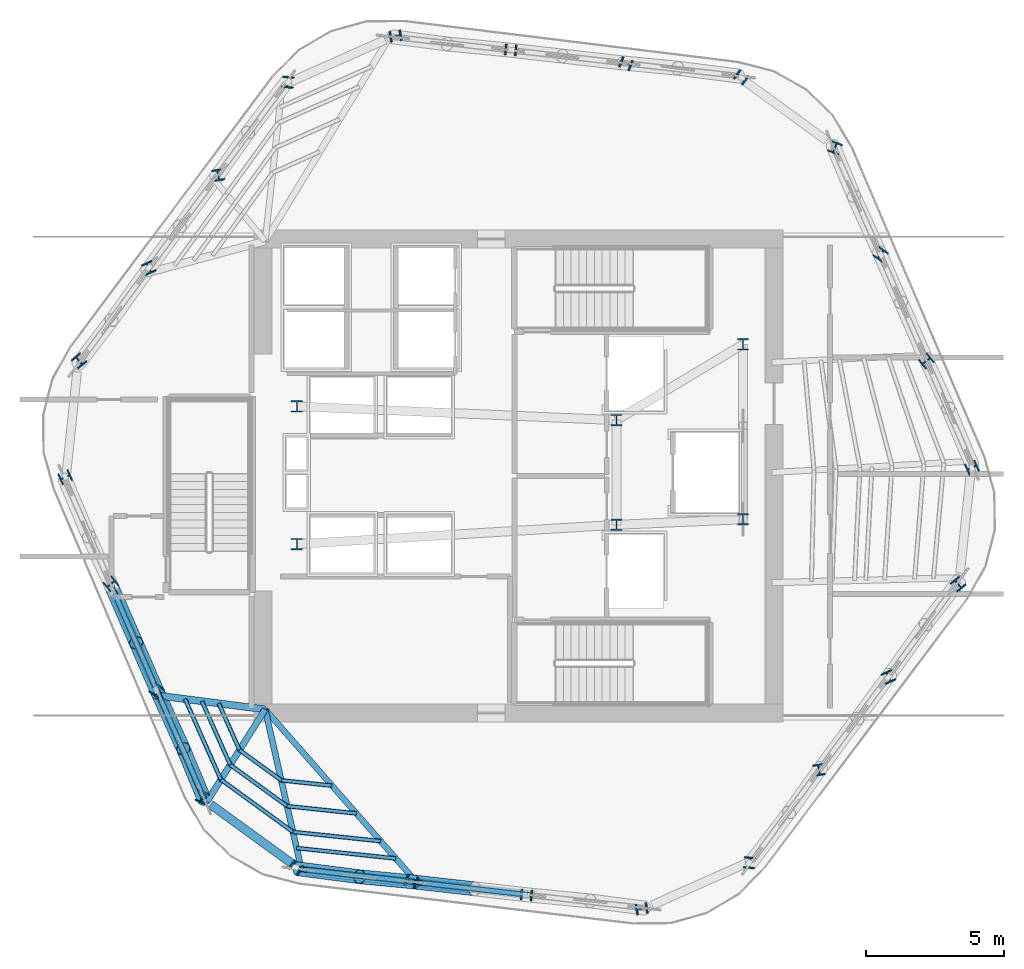
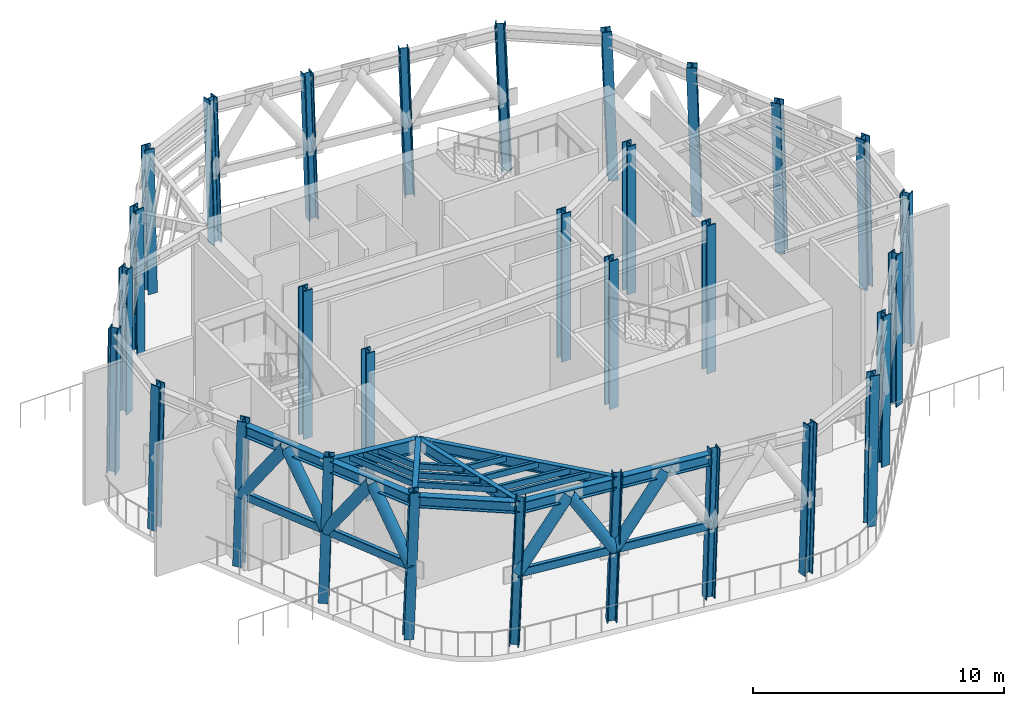
# One storey, part 1 of 10: 30 columns, 21 members, 9 beams.
"""IFC4 building model written with IfcOpenShell, lengths in metres."""

from ifc_helpers import new_model, si_unit, direction, frame, origin, origin_2d, place, context, subcontext, project, spatial, hollow_rectangle, hollow_circle, i_section, extrude, material, material_profile, profile_set, type_object, element, save


model = new_model("IFC4")

# Units and contexts
model_context = context("Model", 3, precision=1e-05, world=origin(), true_north=direction((0.0, 1.0)))
body_context = subcontext(model_context, "Body", "Model", "MODEL_VIEW")
ifc_project = project(units=[si_unit("LENGTHUNIT", "METRE"), si_unit("AREAUNIT", "SQUARE_METRE"), si_unit("VOLUMEUNIT", "CUBIC_METRE"), si_unit("PLANEANGLEUNIT", "RADIAN"), si_unit("MASSUNIT", "GRAM", prefix="KILO")], contexts=[model_context])

# Site, building, storey
site_placement = place(None, origin())
site = spatial("IfcSite", under=ifc_project, at=site_placement, CompositionType="ELEMENT")
building_placement = place(site_placement, origin())
building = spatial("IfcBuilding", under=site, at=building_placement, Name="Valkerne Bourse Tower", CompositionType="ELEMENT")
storey_placement = place(building_placement, frame((0.0, 0.0, 251.199951171875)))
storey = spatial("IfcBuildingStorey", under=building, at=storey_placement, Name="L64", CompositionType="ELEMENT", Elevation=251.199951171875)

# Columns
ifc_material_1 = material(Name="Steel ASTM A913 Grade 65", Category="steel")
ifc_material_profile_1 = material_profile(ifc_material_1, i_section(OverallWidth=0.40380859375, OverallDepth=0.406494140625, WebThickness=0.027099609375, FlangeThickness=0.043701171875, FilletRadius=0.025390625, at=origin_2d()), Name="W14X233")
ifc_profile_set_1 = profile_set([ifc_material_profile_1], Name="Steel ASTM A913 Grade 65")
column_type_1 = type_object("IfcColumnType", Name="COL-W14X233", PredefinedType="COLUMN", material=ifc_profile_set_1)
column_1_placement = place(storey_placement, frame((54.898193359375, 41.32958984375, 0.010009765625), z_axis=(-0.031461219964, 0.017463355358, 0.999352401737), x_axis=(0.58677906534, 0.809735537779, 0.004322885296)))
element("IfcColumn", 1, at=column_1_placement, inside=storey, type_object=column_type_1, Name="L64 Helical Perimeter Tube Column F1-C1", PredefinedType="COLUMN", context=body_context, shape_type="SweptSolid", body=[
    extrude(i_section(OverallWidth=0.40380859375, OverallDepth=0.406494140625, WebThickness=0.027099609375, FlangeThickness=0.043701171875, FilletRadius=0.025390625, at=origin_2d()), origin(), (0.0, 0.0, 1.0), 7.185791015625),
])
for number, where, z_axis, x_axis, name in (
    (2, (50.716796875, 41.835693359375, 0.010009765625), (-0.032517202943, 0.008290697511, 0.999436789321), (0.361617328867, 0.93231789351, 0.004031489009), "L64 Helical Perimeter Tube Column F1-C2"),
    (3, (46.53515625, 42.341796875, 0.010009765625), (-0.03353656244, -0.000849457002, 0.99943713029), (0.094892952646, 0.99547932398, 0.00403026883), "L64 Helical Perimeter Tube Column F1-C3"),
):
    element("IfcColumn", number, at=place(storey_placement, frame(where, z_axis=z_axis, x_axis=x_axis)), inside=storey, type_object=column_type_1, Name=name, PredefinedType="COLUMN", context=body_context, shape_type="SweptSolid", body=[
        extrude(i_section(OverallWidth=0.40380859375, OverallDepth=0.406494140625, WebThickness=0.027099609375, FlangeThickness=0.043701171875, FilletRadius=0.025390625, at=origin_2d()), origin(), (0.0, 0.0, 1.0), 7.185302734375),
    ])
for number, where, z_axis, x_axis, name in (
    (4, (42.353759765625, 42.84765625, 0.010009765625), (-0.034586935001, -0.009988761189, 0.99935177419), (-0.160107627255, 0.987090088216, 0.004324978629), "L64 Helical Perimeter Tube Column F1-C4"),
    (5, (38.439208984375, 41.177978515625, 0.010009765625), (-0.03084966603, -0.018516594699, 0.99935250729), (-0.99421037217, 0.103527129581, -0.028772718172), "L64 Helical Perimeter Tube Column F2-C1"),
):
    element("IfcColumn", number, at=place(storey_placement, frame(where, z_axis=z_axis, x_axis=x_axis)), inside=storey, type_object=column_type_1, Name=name, PredefinedType="COLUMN", context=body_context, shape_type="SweptSolid", body=[
        extrude(i_section(OverallWidth=0.40380859375, OverallDepth=0.406494140625, WebThickness=0.027099609375, FlangeThickness=0.043701171875, FilletRadius=0.025390625, at=origin_2d()), origin(), (0.0, 0.0, 1.0), 7.185791015625),
    ])
for number, where, z_axis, x_axis, name in (
    (6, (35.910400390625, 37.809814453125, 0.010009765625), (-0.023478976315, -0.023988650186, 0.999436482391), (-0.988138573756, -0.151200622085, -0.026842707339), "L64 Helical Perimeter Tube Column F2-C2"),
    (7, (33.38134765625, 34.44140625, 0.010009765625), (-0.01603775117, -0.029459174289, 0.999437315487), (-0.909486379353, -0.414867520729, -0.026822863654), "L64 Helical Perimeter Tube Column F2-C3"),
):
    element("IfcColumn", number, at=place(storey_placement, frame(where, z_axis=z_axis, x_axis=x_axis)), inside=storey, type_object=column_type_1, Name=name, PredefinedType="COLUMN", context=body_context, shape_type="SweptSolid", body=[
        extrude(i_section(OverallWidth=0.40380859375, OverallDepth=0.406494140625, WebThickness=0.027099609375, FlangeThickness=0.043701171875, FilletRadius=0.025390625, at=origin_2d()), origin(), (0.0, 0.0, 1.0), 7.185302734375),
    ])
for number, where, z_axis, x_axis, name in (
    (8, (30.852294921875, 31.0732421875, 0.010009765625), (-0.008629753333, -0.034926718214, 0.999352616303), (-0.7745860204, -0.631813870555, -0.028770296733), "L64 Helical Perimeter Tube Column F2-C4"),
    (9, (30.341064453125, 26.848388671875, 0.010009765625), (0.000611557145, -0.035979945339, 0.999352325024), (0.407902432344, -0.912425340404, -0.033099907502), "L64 Helical Perimeter Tube Column F3-C1"),
):
    element("IfcColumn", number, at=place(storey_placement, frame(where, z_axis=z_axis, x_axis=x_axis)), inside=storey, type_object=column_type_1, Name=name, PredefinedType="COLUMN", context=body_context, shape_type="SweptSolid", body=[
        extrude(i_section(OverallWidth=0.40380859375, OverallDepth=0.406494140625, WebThickness=0.027099609375, FlangeThickness=0.043701171875, FilletRadius=0.025390625, at=origin_2d()), origin(), (0.0, 0.0, 1.0), 7.185791015625),
    ])
for number, where, z_axis, x_axis, name in (
    (10, (31.99365234375, 22.97412109375, 0.010009765625), (0.009038220608, -0.032313337585, 0.999436920862), (0.6254654265, -0.779641236716, -0.030863283456), "L64 Helical Perimeter Tube Column F3-C2"),
    (11, (33.64599609375, 19.099853515625, 0.010009765625), (0.017498820353, -0.02860972182, 0.999437479337), (0.814367985636, -0.579528417071, -0.030847978506), "L64 Helical Perimeter Tube Column F3-C3"),
):
    element("IfcColumn", number, at=place(storey_placement, frame(where, z_axis=z_axis, x_axis=x_axis)), inside=storey, type_object=column_type_1, Name=name, PredefinedType="COLUMN", context=body_context, shape_type="SweptSolid", body=[
        extrude(i_section(OverallWidth=0.40380859375, OverallDepth=0.406494140625, WebThickness=0.027099609375, FlangeThickness=0.043701171875, FilletRadius=0.025390625, at=origin_2d()), origin(), (0.0, 0.0, 1.0), 7.185302734375),
    ])
for number, where, z_axis, x_axis, name in (
    (12, (35.298583984375, 15.2255859375, 0.010009765625), (0.025957193554, -0.024937932027, 0.999351951841), (0.934688611207, -0.353922258601, -0.033109438933), "L64 Helical Perimeter Tube Column F3-C4"),
    (13, (38.701904296875, 12.67041015625, 0.010009765625), (0.031461219964, -0.017463355358, 0.999352401737), (0.58677906534, 0.809735537779, -0.004322885296), "L64 Helical Perimeter Tube Column F4-C1"),
):
    element("IfcColumn", number, at=place(storey_placement, frame(where, z_axis=z_axis, x_axis=x_axis)), inside=storey, type_object=column_type_1, Name=name, PredefinedType="COLUMN", context=body_context, shape_type="SweptSolid", body=[
        extrude(i_section(OverallWidth=0.40380859375, OverallDepth=0.406494140625, WebThickness=0.027099609375, FlangeThickness=0.043701171875, FilletRadius=0.025390625, at=origin_2d()), origin(), (0.0, 0.0, 1.0), 7.185791015625),
    ])
for number, where, z_axis, x_axis, name in (
    (14, (42.88330078125, 12.164306640625, 0.010009765625), (0.032483260546, -0.008290706667, 0.999437893001), (0.361850901486, 0.932227281316, -0.004027538083), "L64 Helical Perimeter Tube Column F4-C2"),
    (15, (47.064697265625, 11.658203125, 0.010009765625), (0.033570502446, 0.000849456034, 0.999435990842), (0.09491832045, 0.995476888985, -0.004034344966), "L64 Helical Perimeter Tube Column F4-C3"),
):
    element("IfcColumn", number, at=place(storey_placement, frame(where, z_axis=z_axis, x_axis=x_axis)), inside=storey, type_object=column_type_1, Name=name, PredefinedType="COLUMN", context=body_context, shape_type="SweptSolid", body=[
        extrude(i_section(OverallWidth=0.40380859375, OverallDepth=0.406494140625, WebThickness=0.027099609375, FlangeThickness=0.043701171875, FilletRadius=0.025390625, at=origin_2d()), origin(), (0.0, 0.0, 1.0), 7.185302734375),
    ])
for number, where, z_axis, x_axis, name in (
    (16, (51.246337890625, 11.15234375, 0.010009765625), (0.034553000206, 0.009988772921, 0.999352947958), (-0.160366195044, 0.987048130491, -0.004321062419), "L64 Helical Perimeter Tube Column F4-C4"),
    (17, (55.16064453125, 12.822021484375, 0.010009765625), (0.03084966603, 0.018516594699, 0.99935250729), (-0.99421037217, 0.103527129581, 0.028772718172), "L64 Helical Perimeter Tube Column F5-C1"),
):
    element("IfcColumn", number, at=place(storey_placement, frame(where, z_axis=z_axis, x_axis=x_axis)), inside=storey, type_object=column_type_1, Name=name, PredefinedType="COLUMN", context=body_context, shape_type="SweptSolid", body=[
        extrude(i_section(OverallWidth=0.40380859375, OverallDepth=0.406494140625, WebThickness=0.027099609375, FlangeThickness=0.043701171875, FilletRadius=0.025390625, at=origin_2d()), origin(), (0.0, 0.0, 1.0), 7.185791015625),
    ])
for number, where, z_axis, x_axis, name in (
    (18, (57.689697265625, 16.190185546875, 0.010009765625), (0.023445016747, 0.02398866931, 0.99943727914), (-0.988029300805, -0.151916385803, 0.026823729718), "L64 Helical Perimeter Tube Column F5-C2"),
    (19, (60.21875, 19.55859375, 0.010009765625), (0.01603775117, 0.029459174289, 0.999437315487), (-0.909486379353, -0.414867520729, 0.026822863654), "L64 Helical Perimeter Tube Column F5-C3"),
):
    element("IfcColumn", number, at=place(storey_placement, frame(where, z_axis=z_axis, x_axis=x_axis)), inside=storey, type_object=column_type_1, Name=name, PredefinedType="COLUMN", context=body_context, shape_type="SweptSolid", body=[
        extrude(i_section(OverallWidth=0.40380859375, OverallDepth=0.406494140625, WebThickness=0.027099609375, FlangeThickness=0.043701171875, FilletRadius=0.025390625, at=origin_2d()), origin(), (0.0, 0.0, 1.0), 7.185302734375),
    ])
for number, where, z_axis, x_axis, name in (
    (20, (62.747802734375, 22.9267578125, 0.010009765625), (0.008629753333, 0.034926718214, 0.999352616303), (-0.7745860204, -0.631813870555, 0.028770296733), "L64 Helical Perimeter Tube Column F5-C4"),
    (21, (63.2587890625, 27.151611328125, 0.010009765625), (-0.000611557145, 0.035979945339, 0.999352325024), (0.407902432344, -0.912425340404, 0.033099907502), "L64 Helical Perimeter Tube Column F6-C1"),
):
    element("IfcColumn", number, at=place(storey_placement, frame(where, z_axis=z_axis, x_axis=x_axis)), inside=storey, type_object=column_type_1, Name=name, PredefinedType="COLUMN", context=body_context, shape_type="SweptSolid", body=[
        extrude(i_section(OverallWidth=0.40380859375, OverallDepth=0.406494140625, WebThickness=0.027099609375, FlangeThickness=0.043701171875, FilletRadius=0.025390625, at=origin_2d()), origin(), (0.0, 0.0, 1.0), 7.185791015625),
    ])
for number, where, z_axis, x_axis, name in (
    (22, (61.6064453125, 31.02587890625, 0.010009765625), (-0.009072196089, 0.032313327643, 0.999436613355), (0.626225172707, -0.779030789347, 0.030871707411), "L64 Helical Perimeter Tube Column F6-C2"),
    (23, (59.953857421875, 34.900146484375, 0.010009765625), (-0.017498820353, 0.02860972182, 0.999437479337), (0.814367985636, -0.579528417071, 0.030847978506), "L64 Helical Perimeter Tube Column F6-C3"),
):
    element("IfcColumn", number, at=place(storey_placement, frame(where, z_axis=z_axis, x_axis=x_axis)), inside=storey, type_object=column_type_1, Name=name, PredefinedType="COLUMN", context=body_context, shape_type="SweptSolid", body=[
        extrude(i_section(OverallWidth=0.40380859375, OverallDepth=0.406494140625, WebThickness=0.027099609375, FlangeThickness=0.043701171875, FilletRadius=0.025390625, at=origin_2d()), origin(), (0.0, 0.0, 1.0), 7.185302734375),
    ])
column_2_placement = place(storey_placement, frame((58.30126953125, 38.7744140625, 0.010009765625), z_axis=(-0.025923241017, 0.024937954006, 0.9993528326), x_axis=(0.934457398552, -0.354534377387, 0.033086939148)))
element("IfcColumn", 24, at=column_2_placement, inside=storey, type_object=column_type_1, Name="L64 Helical Perimeter Tube Column F6-C4", PredefinedType="COLUMN", context=body_context, shape_type="SweptSolid", body=[
    extrude(i_section(OverallWidth=0.40380859375, OverallDepth=0.406494140625, WebThickness=0.027099609375, FlangeThickness=0.043701171875, FilletRadius=0.025390625, at=origin_2d()), origin(), (0.0, 0.0, 1.0), 7.185791015625),
])
ifc_material_profile_2 = material_profile(ifc_material_1, i_section(OverallWidth=0.408935546875, OverallDepth=0.42431640625, WebThickness=0.03271484375, FlangeThickness=0.052490234375, FilletRadius=0.025390625, at=origin_2d()), Name="W14X283")
ifc_profile_set_2 = profile_set([ifc_material_profile_2], Name="Steel ASTM A913 Grade 65")
column_type_2 = type_object("IfcColumnType", Name="COL-W14X283", PredefinedType="COLUMN", material=ifc_profile_set_2)
for number, where, z_axis, x_axis, name in (
    (25, (38.75, 24.39990234375, 0.005126953125), (0.0, 0.0, 1.0), (1.0, 0.0, 0.0), "L64 Core Frame Column CC-SW"),
    (26, (38.75, 29.39990234375, 0.005126953125), (0.0, 0.0, 1.0), (1.0, 0.0, 0.0), "L64 Core Frame Column CC-NW"),
    (27, (50.35009765625, 25.10009765625, 0.005126953125), (0.0, 0.0, 1.0), (1.0, 0.0, 0.0), "L64 Core Frame Column CC-CE1"),
    (28, (50.35009765625, 28.89990234375, 0.005126953125), (0.0, 0.0, 1.0), (1.0, 0.0, 0.0), "L64 Core Frame Column CC-CE2"),
    (29, (54.949951171875, 25.300048828125, 0.005126953125), (0.0, 0.0, 1.0), (1.0, 0.0, 0.0), "L64 Core Frame Column CC-SE"),
    (30, (54.949951171875, 31.64990234375, 0.005126953125), (0.0, 0.0, 1.0), (1.0, 0.0, 0.0), "L64 Core Frame Column CC-NE"),
):
    element("IfcColumn", number, at=place(storey_placement, frame(where, z_axis=z_axis, x_axis=x_axis)), inside=storey, type_object=column_type_2, Name=name, PredefinedType="COLUMN", context=body_context, shape_type="SweptSolid", body=[
        extrude(i_section(OverallWidth=0.408935546875, OverallDepth=0.42431640625, WebThickness=0.03271484375, FlangeThickness=0.052490234375, FilletRadius=0.025390625, at=origin_2d()), origin(), (0.0, 0.0, 1.0), 7.19482421875),
    ])

# Beams
ifc_material_2 = material(Name="Steel ASTM A992", Category="steel")
ifc_material_profile_3 = material_profile(ifc_material_2, i_section(OverallWidth=0.31494140625, OverallDepth=0.5537109375, WebThickness=0.0166015625, FlangeThickness=0.026123046875, FilletRadius=0.020263671875, at=origin_2d()), Name="W21X132")
ifc_profile_set_3 = profile_set([ifc_material_profile_3], Name="Steel ASTM A992")
beam_type_1 = type_object("IfcBeamType", Name="BM-W21X132", PredefinedType="BEAM", material=ifc_profile_set_3)
beam_1_placement = place(storey_placement, frame((32.127685546875, 22.586669921875, 6.72314453125), z_axis=(0.406764365103, -0.913533114497, 0.0), x_axis=(0.913533114497, 0.406764365103, 0.0)))
element("IfcBeam", 31, at=beam_1_placement, inside=storey, type_object=beam_type_1, Name="L64 Hexagonal Spandrel Ring Beam 09", PredefinedType="BEAM", context=body_context, shape_type="SweptSolid", body=[
    extrude(i_section(OverallWidth=0.31494140625, OverallDepth=0.5537109375, WebThickness=0.0166015625, FlangeThickness=0.026123046875, FilletRadius=0.020263671875, at=origin_2d()), origin(), (0.0, 0.0, 1.0), 3.871826171875),
])
beam_2_placement = place(storey_placement, frame((33.8408203125, 18.739013671875, 6.72314453125), z_axis=(0.406793553533, -0.91352011735, 0.0), x_axis=(0.91352011735, 0.406793553533, 0.0)))
element("IfcBeam", 32, at=beam_2_placement, inside=storey, type_object=beam_type_1, Name="L64 Hexagonal Spandrel Ring Beam 10", PredefinedType="BEAM", context=body_context, shape_type="SweptSolid", body=[
    extrude(i_section(OverallWidth=0.31494140625, OverallDepth=0.5537109375, WebThickness=0.0166015625, FlangeThickness=0.026123046875, FilletRadius=0.020263671875, at=origin_2d()), origin(), (0.0, 0.0, 1.0), 3.872314453125),
])
beam_3_placement = place(storey_placement, frame((35.62255859375, 14.9462890625, 6.72314453125), z_axis=(0.809013712132, -0.587789769886, 0.0), x_axis=(0.587789769886, 0.809013712132, 0.0)))
element("IfcBeam", 33, at=beam_3_placement, inside=storey, type_object=beam_type_1, Name="L64 Hexagonal Spandrel Ring Beam 11", PredefinedType="BEAM", context=body_context, shape_type="SweptSolid", body=[
    extrude(i_section(OverallWidth=0.31494140625, OverallDepth=0.5537109375, WebThickness=0.0166015625, FlangeThickness=0.026123046875, FilletRadius=0.020263671875, at=origin_2d()), origin(), (0.0, 0.0, 1.0), 3.91552734375),
])
for number, where, z_axis, x_axis, name in (
    (34, (39.096923828125, 12.527099609375, 6.72314453125), (0.994527197496, -0.104478004581, 0.0), (0.104478004581, 0.994527197496, 0.0), "L64 Hexagonal Spandrel Ring Beam 12"),
    (35, (43.285888671875, 12.0869140625, 6.72314453125), (0.994520644036, -0.104540368212, 0.0), (0.104540368212, 0.994520644036, 0.0), "L64 Hexagonal Spandrel Ring Beam 13"),
):
    element("IfcBeam", number, at=place(storey_placement, frame(where, z_axis=z_axis, x_axis=x_axis)), inside=storey, type_object=beam_type_1, Name=name, PredefinedType="BEAM", context=body_context, shape_type="SweptSolid", body=[
        extrude(i_section(OverallWidth=0.31494140625, OverallDepth=0.5537109375, WebThickness=0.0166015625, FlangeThickness=0.026123046875, FilletRadius=0.020263671875, at=origin_2d()), origin(), (0.0, 0.0, 1.0), 3.8720703125),
    ])
ifc_material_profile_4 = material_profile(ifc_material_2, i_section(OverallWidth=0.209228515625, OverallDepth=0.533447265625, WebThickness=0.01025390625, FlangeThickness=0.015625, FilletRadius=0.017822265625, at=origin_2d()), Name="W21X62")
ifc_profile_set_4 = profile_set([ifc_material_profile_4], Name="Steel ASTM A992")
beam_type_2 = type_object("IfcBeamType", Name="BM-W21X62", PredefinedType="JOIST", material=ifc_profile_set_4)
beam_4_placement = place(storey_placement, frame((43.11669921875, 12.104736328125, 6.7333984375), z_axis=(-0.659068155467, 0.752083217769, 0.0), x_axis=(-0.752083217769, -0.659068155467, 0.0)))
element("IfcBeam", 36, at=beam_4_placement, inside=storey, type_object=beam_type_2, Name="L64 Radial Composite Floor Beam 13", PredefinedType="JOIST", context=body_context, shape_type="SweptSolid", body=[
    extrude(i_section(OverallWidth=0.209228515625, OverallDepth=0.533447265625, WebThickness=0.01025390625, FlangeThickness=0.015625, FilletRadius=0.017822265625, at=origin_2d()), origin(), (0.0, 0.0, 1.0), 8.370361328125),
])
ifc_material_profile_5 = material_profile(ifc_material_2, i_section(OverallWidth=0.2138671875, OverallDepth=0.548583984375, WebThickness=0.0146484375, FlangeThickness=0.023681640625, FilletRadius=0.017822265625, at=origin_2d()), Name="W21X93")
ifc_profile_set_5 = profile_set([ifc_material_profile_5], Name="Steel ASTM A992")
beam_type_3 = type_object("IfcBeamType", Name="BM-W21X93", PredefinedType="BEAM", material=ifc_profile_set_5)
beam_5_placement = place(storey_placement, frame((38.927978515625, 12.544921875, 6.725830078125), z_axis=(-0.221178157336, 0.975233419606, 0.0), x_axis=(-0.975233419606, -0.221178157336, 0.0)))
element("IfcBeam", 37, at=beam_5_placement, inside=storey, type_object=beam_type_3, Name="L64 Radial Composite Floor Beam 12", PredefinedType="BEAM", context=body_context, shape_type="SweptSolid", body=[
    extrude(i_section(OverallWidth=0.2138671875, OverallDepth=0.548583984375, WebThickness=0.0146484375, FlangeThickness=0.023681640625, FilletRadius=0.017822265625, at=origin_2d()), origin(), (0.0, 0.0, 1.0), 6.003662109375),
])
ifc_material_profile_6 = material_profile(ifc_material_2, i_section(OverallWidth=0.228271484375, OverallDepth=0.607177734375, WebThickness=0.01123046875, FlangeThickness=0.017333984375, FilletRadius=0.017822265625, at=origin_2d()), Name="W24X76")
ifc_profile_set_6 = profile_set([ifc_material_profile_6], Name="Steel ASTM A992")
beam_type_4 = type_object("IfcBeamType", Name="BM-W24X76", PredefinedType="JOIST", material=ifc_profile_set_6)
beam_6_placement = place(storey_placement, frame((35.485107421875, 15.04638671875, 6.696533203125), z_axis=(0.533448435421, 0.845832587896, 0.0), x_axis=(-0.845832587896, 0.533448435421, 0.0)))
element("IfcBeam", 38, at=beam_6_placement, inside=storey, type_object=beam_type_4, Name="L64 Radial Composite Floor Beam 11", PredefinedType="JOIST", context=body_context, shape_type="SweptSolid", body=[
    extrude(i_section(OverallWidth=0.228271484375, OverallDepth=0.607177734375, WebThickness=0.01123046875, FlangeThickness=0.017333984375, FilletRadius=0.017822265625, at=origin_2d()), origin(), (0.0, 0.0, 1.0), 3.96484375),
])
ifc_material_profile_7 = material_profile(ifc_material_2, i_section(OverallWidth=0.255859375, OverallDepth=0.693359375, WebThickness=0.014404296875, FlangeThickness=0.023681640625, FilletRadius=0.02294921875, at=origin_2d()), Name="W27X114")
ifc_profile_set_7 = profile_set([ifc_material_profile_7], Name="Steel ASTM A992")
beam_type_5 = type_object("IfcBeamType", Name="BM-W27X114", PredefinedType="BEAM", material=ifc_profile_set_7)
beam_7_placement = place(storey_placement, frame((33.771728515625, 18.894287109375, 6.6533203125), z_axis=(0.991764655378, -0.128073683256, 0.0), x_axis=(0.128073683256, 0.991764655378, 0.0)))
element("IfcBeam", 39, at=beam_7_placement, inside=storey, type_object=beam_type_5, Name="L64 Radial Composite Floor Beam 10", PredefinedType="BEAM", context=body_context, shape_type="SweptSolid", body=[
    extrude(i_section(OverallWidth=0.255859375, OverallDepth=0.693359375, WebThickness=0.014404296875, FlangeThickness=0.023681640625, FilletRadius=0.02294921875, at=origin_2d()), origin(), (0.0, 0.0, 1.0), 3.860107421875),
])

# Members
ifc_material_3 = material(Name="Steel ASTM A500 Grade C", Category="steel")
ifc_material_profile_8 = material_profile(ifc_material_3, hollow_circle(Radius=0.25390625, WallThickness=0.01611328125, at=origin_2d()), Name="CHS508X16")
ifc_profile_set_8 = profile_set([ifc_material_profile_8], Name="Steel ASTM A500 Grade C")
member_type_1 = type_object("IfcMemberType", Name="MBR-CHS508X16", PredefinedType="BRACE", material=ifc_profile_set_8)
member_1_placement = place(storey_placement, frame((32.025146484375, 22.861328125, 3.5), z_axis=(0.227154624199, -0.521408954998, 0.822516552024), x_axis=(0.916777226491, 0.399398944651, 0.0)))
element("IfcMember", 40, at=member_1_placement, inside=storey, type_object=member_type_1, Name="L64 Wind Portal Belt Brace 09A", PredefinedType="BRACE", context=body_context, shape_type="SweptSolid", body=[
    extrude(hollow_circle(Radius=0.25390625, WallThickness=0.01611328125, at=origin_2d()), origin(), (0.0, 0.0, 1.0), 3.918701171875),
])
member_2_placement = place(storey_placement, frame((33.707275390625, 19.0, 3.5), z_axis=(-0.209279804847, 0.480427468155, 0.85169913181), x_axis=(-0.916791908791, -0.399365241321, 0.0)))
element("IfcMember", 41, at=member_2_placement, inside=storey, type_object=member_type_1, Name="L64 Wind Portal Belt Brace 09B", PredefinedType="BRACE", context=body_context, shape_type="SweptSolid", body=[
    extrude(hollow_circle(Radius=0.25390625, WallThickness=0.01611328125, at=origin_2d()), origin(), (0.0, 0.0, 1.0), 3.784423828125),
])
member_3_placement = place(storey_placement, frame((33.707275390625, 19.0, 3.5), z_axis=(0.235055787537, -0.51795754508, 0.822477208341), x_axis=(0.910617624321, 0.413249975531, 0.0)))
element("IfcMember", 42, at=member_3_placement, inside=storey, type_object=member_type_1, Name="L64 Wind Portal Belt Brace 10A", PredefinedType="BRACE", context=body_context, shape_type="SweptSolid", body=[
    extrude(hollow_circle(Radius=0.25390625, WallThickness=0.01611328125, at=origin_2d()), origin(), (0.0, 0.0, 1.0), 3.9189453125),
])
member_4_placement = place(storey_placement, frame((35.389404296875, 15.138427734375, 3.5), z_axis=(-0.201074386508, 0.484010626233, 0.851647112825), x_axis=(-0.923480615944, -0.383645085952, 0.0)))
element("IfcMember", 43, at=member_4_placement, inside=storey, type_object=member_type_1, Name="L64 Wind Portal Belt Brace 10B", PredefinedType="BRACE", context=body_context, shape_type="SweptSolid", body=[
    extrude(hollow_circle(Radius=0.25390625, WallThickness=0.01611328125, at=origin_2d()), origin(), (0.0, 0.0, 1.0), 3.78466796875),
])
member_5_placement = place(storey_placement, frame((38.811767578125, 12.609375, 3.5), z_axis=(0.564127499537, -0.072641928709, 0.822486057304), x_axis=(0.127714152065, 0.991811017968, 0.0)))
element("IfcMember", 44, at=member_5_placement, inside=storey, type_object=member_type_1, Name="L64 Wind Portal Belt Brace 12A", PredefinedType="BRACE", context=body_context, shape_type="SweptSolid", body=[
    extrude(hollow_circle(Radius=0.25390625, WallThickness=0.01611328125, at=origin_2d()), origin(), (0.0, 0.0, 1.0), 3.918701171875),
])
member_6_placement = place(storey_placement, frame((42.996826171875, 12.13525390625, 3.5), z_axis=(-0.521693569512, 0.050059875101, 0.851662978199), x_axis=(-0.095517734293, -0.995427728384, 0.0)))
element("IfcMember", 45, at=member_6_placement, inside=storey, type_object=member_type_1, Name="L64 Wind Portal Belt Brace 12B", PredefinedType="BRACE", context=body_context, shape_type="SweptSolid", body=[
    extrude(hollow_circle(Radius=0.25390625, WallThickness=0.01611328125, at=origin_2d()), origin(), (0.0, 0.0, 1.0), 3.784423828125),
])
member_7_placement = place(storey_placement, frame((42.996826171875, 12.13525390625, 3.5), z_axis=(0.565098139448, -0.063986305316, 0.822538658985), x_axis=(0.11251146506, 0.993650426574, 0.0)))
element("IfcMember", 46, at=member_7_placement, inside=storey, type_object=member_type_1, Name="L64 Wind Portal Belt Brace 13A", PredefinedType="BRACE", context=body_context, shape_type="SweptSolid", body=[
    extrude(hollow_circle(Radius=0.25390625, WallThickness=0.01611328125, at=origin_2d()), origin(), (0.0, 0.0, 1.0), 3.91845703125),
])
ifc_material_profile_9 = material_profile(ifc_material_3, hollow_rectangle(XDim=0.14990234375, YDim=0.300048828125, WallThickness=0.012451171875, OuterFilletRadius=0.02490234375, at=origin_2d()), Name="HSS300X150X12.5")
ifc_profile_set_9 = profile_set([ifc_material_profile_9], Name="Steel ASTM A500 Grade C")
member_type_2 = type_object("IfcMemberType", Name="MBR-HSS300X150X12.5", PredefinedType="PURLIN", material=ifc_profile_set_9)
member_8_placement = place(storey_placement, frame((35.91552734375, 18.617431640625, 6.840087890625), z_axis=(0.406773918123, -0.913528860811, 0.0), x_axis=(0.913528860811, 0.406773918123, 0.0)))
element("IfcMember", 47, at=member_8_placement, inside=storey, type_object=member_type_2, Name="L64 Secondary Composite Floor Purlin K-10", PredefinedType="PURLIN", context=body_context, shape_type="SweptSolid", body=[
    extrude(hollow_rectangle(XDim=0.14990234375, YDim=0.300048828125, WallThickness=0.012451171875, OuterFilletRadius=0.02490234375, at=origin_2d()), origin(), (0.0, 0.0, 1.0), 1.853271484375),
])
member_9_placement = place(storey_placement, frame((36.66943359375, 16.92431640625, 6.840087890625), z_axis=(0.809029170348, -0.587768493139, 0.0), x_axis=(0.587768493139, 0.809029170348, 0.0)))
element("IfcMember", 48, at=member_9_placement, inside=storey, type_object=member_type_2, Name="L64 Secondary Composite Floor Purlin K-11", PredefinedType="PURLIN", context=body_context, shape_type="SweptSolid", body=[
    extrude(hollow_rectangle(XDim=0.14990234375, YDim=0.300048828125, WallThickness=0.012451171875, OuterFilletRadius=0.02490234375, at=origin_2d()), origin(), (0.0, 0.0, 1.0), 1.87255859375),
])
member_10_placement = place(storey_placement, frame((38.184326171875, 15.82373046875, 6.840087890625), z_axis=(0.994527808459, -0.104472188649, 0.0), x_axis=(0.104472188649, 0.994527808459, 0.0)))
element("IfcMember", 49, at=member_10_placement, inside=storey, type_object=member_type_2, Name="L64 Secondary Composite Floor Purlin K-12", PredefinedType="PURLIN", context=body_context, shape_type="SweptSolid", body=[
    extrude(hollow_rectangle(XDim=0.14990234375, YDim=0.300048828125, WallThickness=0.012451171875, OuterFilletRadius=0.02490234375, at=origin_2d()), origin(), (0.0, 0.0, 1.0), 1.853271484375),
])
member_11_placement = place(storey_placement, frame((34.690673828125, 18.775634765625, 6.840087890625), z_axis=(0.406739877015, -0.913544017793, 0.0), x_axis=(0.913544017793, 0.406739877015, 0.0)))
element("IfcMember", 50, at=member_11_placement, inside=storey, type_object=member_type_2, Name="L64 Secondary Composite Floor Purlin O-10", PredefinedType="PURLIN", context=body_context, shape_type="SweptSolid", body=[
    extrude(hollow_rectangle(XDim=0.14990234375, YDim=0.300048828125, WallThickness=0.012451171875, OuterFilletRadius=0.02490234375, at=origin_2d()), origin(), (0.0, 0.0, 1.0), 3.201171875),
])
member_12_placement = place(storey_placement, frame((35.99267578125, 15.851318359375, 6.840087890625), z_axis=(0.808993886391, -0.587817056389, 0.0), x_axis=(0.587817056389, 0.808993886391, 0.0)))
element("IfcMember", 51, at=member_12_placement, inside=storey, type_object=member_type_2, Name="L64 Secondary Composite Floor Purlin O-11", PredefinedType="PURLIN", context=body_context, shape_type="SweptSolid", body=[
    extrude(hollow_rectangle(XDim=0.14990234375, YDim=0.300048828125, WallThickness=0.012451171875, OuterFilletRadius=0.02490234375, at=origin_2d()), origin(), (0.0, 0.0, 1.0), 3.234130859375),
])
member_13_placement = place(storey_placement, frame((38.609130859375, 13.9501953125, 6.840087890625), z_axis=(0.994518400206, -0.104561712169, 0.0), x_axis=(0.104561712169, 0.994518400206, 0.0)))
element("IfcMember", 52, at=member_13_placement, inside=storey, type_object=member_type_2, Name="L64 Secondary Composite Floor Purlin O-12", PredefinedType="PURLIN", context=body_context, shape_type="SweptSolid", body=[
    extrude(hollow_rectangle(XDim=0.14990234375, YDim=0.300048828125, WallThickness=0.012451171875, OuterFilletRadius=0.02490234375, at=origin_2d()), origin(), (0.0, 0.0, 1.0), 3.201171875),
])
member_14_placement = place(storey_placement, frame((35.302978515625, 18.696533203125, 6.840087890625), z_axis=(0.4067747202, -0.913528503664, 0.0), x_axis=(0.913528503664, 0.4067747202, 0.0)))
element("IfcMember", 53, at=member_14_placement, inside=storey, type_object=member_type_2, Name="L64 Secondary Composite Floor Purlin Z-10", PredefinedType="PURLIN", context=body_context, shape_type="SweptSolid", body=[
    extrude(hollow_rectangle(XDim=0.14990234375, YDim=0.300048828125, WallThickness=0.012451171875, OuterFilletRadius=0.02490234375, at=origin_2d()), origin(), (0.0, 0.0, 1.0), 2.52734375),
])
member_15_placement = place(storey_placement, frame((36.3310546875, 16.3876953125, 6.840087890625), z_axis=(0.809029558719, -0.587767958568, 0.0), x_axis=(0.587767958568, 0.809029558719, 0.0)))
element("IfcMember", 54, at=member_15_placement, inside=storey, type_object=member_type_2, Name="L64 Secondary Composite Floor Purlin Z-11", PredefinedType="PURLIN", context=body_context, shape_type="SweptSolid", body=[
    extrude(hollow_rectangle(XDim=0.14990234375, YDim=0.300048828125, WallThickness=0.012451171875, OuterFilletRadius=0.02490234375, at=origin_2d()), origin(), (0.0, 0.0, 1.0), 2.55322265625),
])
member_16_placement = place(storey_placement, frame((38.396728515625, 14.886962890625, 6.840087890625), z_axis=(0.994522378417, -0.104523867261, 0.0), x_axis=(0.104523867261, 0.994522378417, 0.0)))
element("IfcMember", 55, at=member_16_placement, inside=storey, type_object=member_type_2, Name="L64 Secondary Composite Floor Purlin Z-12", PredefinedType="PURLIN", context=body_context, shape_type="SweptSolid", body=[
    extrude(hollow_rectangle(XDim=0.14990234375, YDim=0.300048828125, WallThickness=0.012451171875, OuterFilletRadius=0.02490234375, at=origin_2d()), origin(), (0.0, 0.0, 1.0), 2.52734375),
])
member_17_placement = place(storey_placement, frame((38.741943359375, 13.364501953125, 6.840087890625), z_axis=(0.994528326067, -0.104467261141, 0.0), x_axis=(0.104467261141, 0.994528326067, 0.0)))
element("IfcMember", 56, at=member_17_placement, inside=storey, type_object=member_type_2, Name="L64 Secondary Composite Floor Purlin T-12", PredefinedType="PURLIN", context=body_context, shape_type="SweptSolid", body=[
    extrude(hollow_rectangle(XDim=0.14990234375, YDim=0.300048828125, WallThickness=0.012451171875, OuterFilletRadius=0.02490234375, at=origin_2d()), origin(), (0.0, 0.0, 1.0), 3.622314453125),
])
ifc_material_profile_10 = material_profile(ifc_material_3, hollow_rectangle(XDim=0.199951171875, YDim=0.39990234375, WallThickness=0.01611328125, OuterFilletRadius=0.031982421875, at=origin_2d()), Name="HSS400X200X16")
ifc_profile_set_10 = profile_set([ifc_material_profile_10], Name="Steel ASTM A500 Grade C")
member_type_3 = type_object("IfcMemberType", Name="MBR-HSS400X200X16", PredefinedType="CHORD", material=ifc_profile_set_10)
member_18_placement = place(storey_placement, frame((32.025146484375, 22.861328125, 3.5), z_axis=(0.399383075562, -0.916784139781, 0.0), x_axis=(0.916784139781, 0.399383075562, 0.0)))
element("IfcMember", 57, at=member_18_placement, inside=storey, type_object=member_type_3, Name="L64 Wind Portal Belt Girt 09", PredefinedType="CHORD", context=body_context, shape_type="SweptSolid", body=[
    extrude(hollow_rectangle(XDim=0.199951171875, YDim=0.39990234375, WallThickness=0.01611328125, OuterFilletRadius=0.031982421875, at=origin_2d()), origin(), (0.0, 0.0, 1.0), 4.2119140625),
])
member_19_placement = place(storey_placement, frame((33.707275390625, 19.0, 3.5), z_axis=(0.399361852586, -0.916793384956, 0.0), x_axis=(0.916793384956, 0.399361852586, 0.0)))
element("IfcMember", 58, at=member_19_placement, inside=storey, type_object=member_type_3, Name="L64 Wind Portal Belt Girt 10", PredefinedType="CHORD", context=body_context, shape_type="SweptSolid", body=[
    extrude(hollow_rectangle(XDim=0.199951171875, YDim=0.39990234375, WallThickness=0.01611328125, OuterFilletRadius=0.031982421875, at=origin_2d()), origin(), (0.0, 0.0, 1.0), 4.212158203125),
])
for number, where, z_axis, x_axis, name in (
    (59, (38.811767578125, 12.609375, 3.5), (0.993643918823, -0.112568923717, 0.0), (0.112568923717, 0.993643918823, 0.0), "L64 Wind Portal Belt Girt 12"),
    (60, (42.996826171875, 12.13525390625, 3.5), (0.993650400852, -0.112511692221, 0.0), (0.112511692221, 0.993650400852, 0.0), "L64 Wind Portal Belt Girt 13"),
):
    element("IfcMember", number, at=place(storey_placement, frame(where, z_axis=z_axis, x_axis=x_axis)), inside=storey, type_object=member_type_3, Name=name, PredefinedType="CHORD", context=body_context, shape_type="SweptSolid", body=[
        extrude(hollow_rectangle(XDim=0.199951171875, YDim=0.39990234375, WallThickness=0.01611328125, OuterFilletRadius=0.031982421875, at=origin_2d()), origin(), (0.0, 0.0, 1.0), 4.2119140625),
    ])

save(model, "model.ifc")
